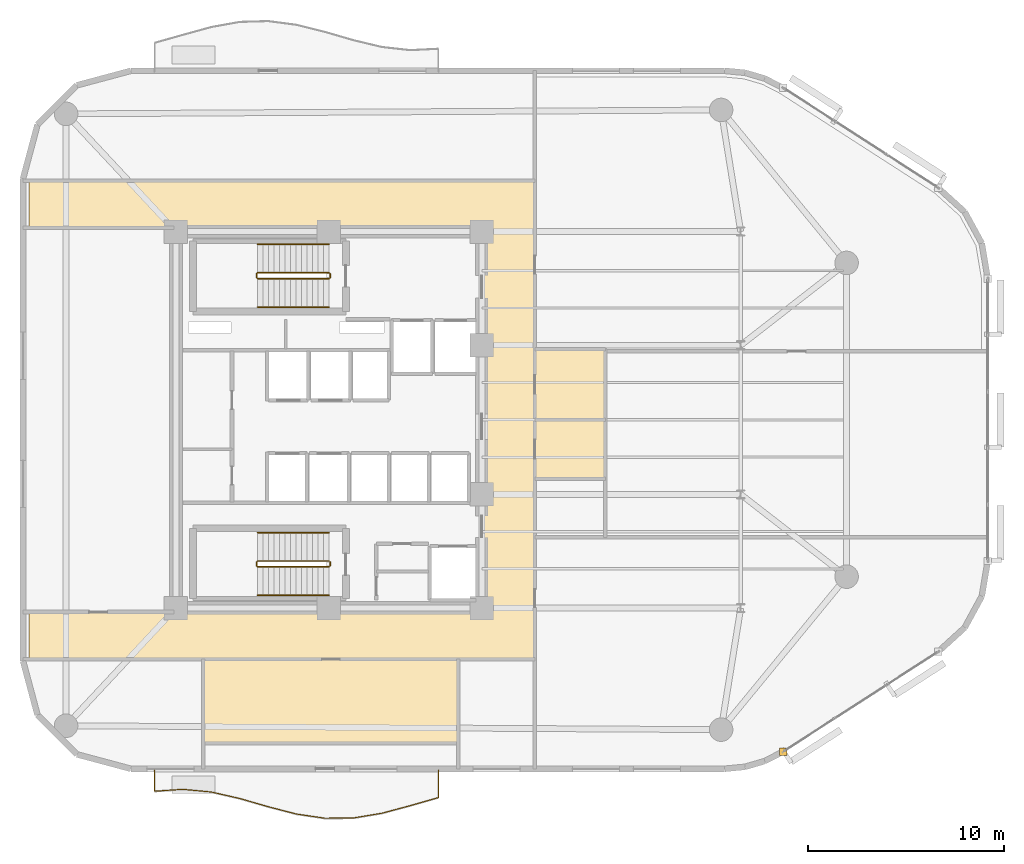
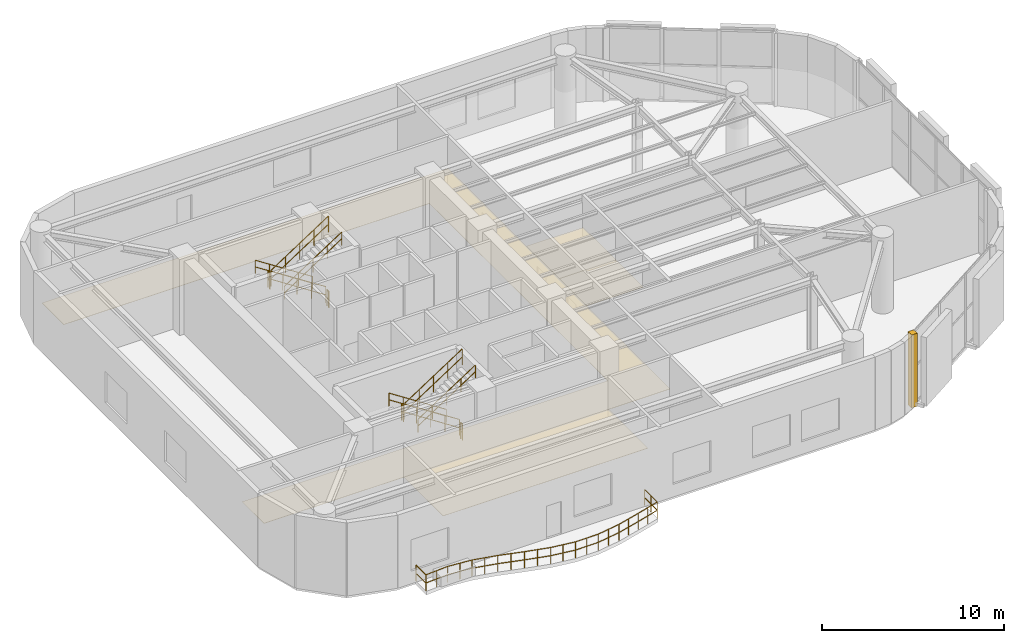
# One storey, part 11 of 12: 13 railings, 5 coverings.
"""IFC4 building model written with IfcOpenShell, lengths in metres."""

from ifc_helpers import new_model, si_unit, direction, frame, origin, origin_2d, place, context, subcontext, project, spatial, polyline, rectangle, circle, outline, extrude, material, layer, layer_set, type_object, element, save


model = new_model("IFC4")

# Units and contexts
model_context = context("Model", 3, precision=1e-05, world=origin(), true_north=direction((0.0, 1.0)))
body_context = subcontext(model_context, "Body", "Model", "MODEL_VIEW")
ifc_project = project(units=[si_unit("LENGTHUNIT", "METRE"), si_unit("AREAUNIT", "SQUARE_METRE"), si_unit("VOLUMEUNIT", "CUBIC_METRE"), si_unit("PLANEANGLEUNIT", "RADIAN"), si_unit("MASSUNIT", "GRAM", prefix="KILO")], contexts=[model_context])

# Site, building, storey
site_placement = place(None, origin())
site = spatial("IfcSite", under=ifc_project, at=site_placement, CompositionType="ELEMENT")
building_placement = place(site_placement, origin())
building = spatial("IfcBuilding", under=site, at=building_placement, Name="An Khanh Terracotta Commons", CompositionType="ELEMENT")
storey_placement = place(building_placement, frame((0.0, 0.0, 138.699951171875)))
storey = spatial("IfcBuildingStorey", under=building, at=storey_placement, Name="L36", CompositionType="ELEMENT", Elevation=138.699951171875)

# Coverings
ifc_material_1 = material(Name="Perforated Mineral-Fibre Acoustic Tile")
ifc_layer_1 = layer(ifc_material_1, 0.02001953125, Name="Perforated Mineral-Fibre Acoustic Tile")
ifc_layer_set_1 = layer_set([ifc_layer_1], Name="Perforated Mineral-Fibre Acoustic Tile")
covering_type_1 = type_object("IfcCoveringType", Name="CEIL-ACOUSTIC-18", PredefinedType="CEILING", material=ifc_layer_set_1)
covering_1_placement = place(storey_placement, frame((0.0, 0.0, 2.650146484375)))
element("IfcCovering", 1, at=covering_1_placement, inside=storey, type_object=covering_type_1, Name="L36 Sky Lobby Ceiling", PredefinedType="CEILING", context=body_context, shape_type="SweptSolid", body=[
    extrude(outline(polyline([(14.1201171875, 11.800048828125), (14.1201171875, 14.199951171875), (37.300048828125, 14.199951171875), (37.300048828125, 14.280029296875), (37.320068359375, 14.280029296875), (37.320068359375, 33.719970703125), (37.300048828125, 33.719970703125), (37.300048828125, 33.800048828125), (14.1201171875, 33.800048828125), (14.1201171875, 36.199951171875), (39.89990234375, 36.199951171875), (39.89990234375, 35.800048828125), (39.89990234375, 33.800048828125), (39.89990234375, 14.199951171875), (39.89990234375, 12.199951171875), (39.89990234375, 11.800048828125), (14.1201171875, 11.800048828125)])), origin(), (0.0, 0.0, 1.0), 0.02001953125),
])
covering_2_placement = place(storey_placement, frame((0.0, 0.0, 2.650146484375)))
element("IfcCovering", 2, at=covering_2_placement, inside=storey, type_object=covering_type_1, Name="L36 Sky Lobby Accessible WC Ceiling", PredefinedType="CEILING", context=body_context, shape_type="SweptSolid", body=[
    extrude(outline(polyline([(39.89990234375, 24.0), (43.5, 24.0), (43.5, 21.0), (39.89990234375, 21.0), (39.89990234375, 24.0)])), origin(), (0.0, 0.0, 1.0), 0.02001953125),
])
covering_3_placement = place(storey_placement, frame((0.0, 0.0, 2.650146484375)))
element("IfcCovering", 3, at=covering_3_placement, inside=storey, type_object=covering_type_1, Name="L36 Sky Lobby Public Restrooms Ceiling", PredefinedType="CEILING", context=body_context, shape_type="SweptSolid", body=[
    extrude(outline(polyline([(39.89990234375, 27.60009765625), (43.5, 27.60009765625), (43.5, 24.0), (39.89990234375, 24.0), (39.89990234375, 27.60009765625)])), origin(), (0.0, 0.0, 1.0), 0.02001953125),
])
covering_4_placement = place(storey_placement, frame((0.0, 0.0, 2.650146484375)))
element("IfcCovering", 4, at=covering_4_placement, inside=storey, type_object=covering_type_1, Name="L36 Sky Lobby Pantry Store Ceiling", PredefinedType="CEILING", context=body_context, shape_type="SweptSolid", body=[
    extrude(outline(polyline([(36.0, 11.800048828125), (36.0, 7.5), (23.0, 7.5), (23.0, 11.800048828125), (36.0, 11.800048828125)])), origin(), (0.0, 0.0, 1.0), 0.02001953125),
])
ifc_material_2 = material(Name="Fired Terracotta Rainscreen Cladding", Category="masonry")
ifc_layer_2 = layer(ifc_material_2, 0.080078125, Name="Fired Terracotta Rainscreen Cladding")
ifc_layer_set_2 = layer_set([ifc_layer_2], Name="Fired Terracotta Rainscreen Cladding")
covering_type_2 = type_object("IfcCoveringType", Name="COV-JAMB-TERRA", PredefinedType="CLADDING", material=ifc_layer_set_2)
covering_5_placement = place(storey_placement, frame((52.56005859375, 7.075927734375, 0.0), z_axis=(0.0, 0.0, 1.0), x_axis=(1.0, 0.0, 0.0)))
element("IfcCovering", 5, at=covering_5_placement, inside=storey, type_object=covering_type_2, Name="L36 CW-04 Curtain-Wall Jamb Closure JA", PredefinedType="CLADDING", context=body_context, shape_type="SweptSolid", body=[
    extrude(rectangle(XDim=0.3798828125, YDim=0.3798828125, at=origin_2d()), origin(), (0.0, 0.0, 1.0), 4.89990234375),
])

# Railings
ifc_material_3 = material(Name="Brushed Stainless Steel 316", Category="steel")
railing_type_1 = type_object("IfcRailingType", Name="RAIL-BALUSTRADE-1100", PredefinedType="BALUSTRADE", material=ifc_material_3)
railing_1_placement = place(storey_placement, frame((20.5, 6.139892578125, 0.0)))
element("IfcRailing", 6, at=railing_1_placement, inside=storey, type_object=railing_type_1, Name="L36 S Wave Balcony Guard Balustrade", PredefinedType="BALUSTRADE", context=body_context, shape_type="SweptSolid", body=[
    extrude(circle(Radius=0.02392578125, at=origin_2d()), frame((0.0, 0.0, 1.076171875), z_axis=(0.0, -1.0, 0.0), x_axis=(1.0, 0.0, 0.0)), (0.0, 0.0, 1.0), 1.079833984375),
    extrude(circle(Radius=0.02392578125, at=origin_2d()), frame((0.0, 0.0, 0.52587890625), z_axis=(0.0, -1.0, 0.0), x_axis=(1.0, 0.0, 0.0)), (0.0, 0.0, 1.0), 1.079833984375),
    extrude(circle(Radius=0.02392578125, at=origin_2d()), frame((0.0, -1.079833984375, 1.076171875), z_axis=(0.997682915292, 0.068035288886, 0.0), x_axis=(-0.068035288886, 0.997682915292, 0.0)), (0.0, 0.0, 1.0), 1.453369140625),
    extrude(circle(Radius=0.02392578125, at=origin_2d()), frame((0.0, -1.079833984375, 0.52587890625), z_axis=(0.997682915292, 0.068035288886, 0.0), x_axis=(-0.068035288886, 0.997682915292, 0.0)), (0.0, 0.0, 1.0), 1.453369140625),
    extrude(circle(Radius=0.02392578125, at=origin_2d()), frame((1.449951171875, -0.98095703125, 1.076171875), z_axis=(0.995568257006, -0.094041722879, 0.0), x_axis=(0.094041722879, 0.995568257006, 0.0)), (0.0, 0.0, 1.0), 1.456298828125),
    extrude(circle(Radius=0.02392578125, at=origin_2d()), frame((1.449951171875, -0.98095703125, 0.52587890625), z_axis=(0.995568257006, -0.094041722879, 0.0), x_axis=(0.094041722879, 0.995568257006, 0.0)), (0.0, 0.0, 1.0), 1.456298828125),
    extrude(circle(Radius=0.02392578125, at=origin_2d()), frame((2.89990234375, -1.117919921875, 1.076171875), z_axis=(0.975061856112, -0.221933270953, 0.0), x_axis=(0.221933270953, 0.975061856112, 0.0)), (0.0, 0.0, 1.0), 1.4873046875),
    extrude(circle(Radius=0.02392578125, at=origin_2d()), frame((2.89990234375, -1.117919921875, 0.52587890625), z_axis=(0.975061856112, -0.221933270953, 0.0), x_axis=(0.221933270953, 0.975061856112, 0.0)), (0.0, 0.0, 1.0), 1.4873046875),
    extrude(circle(Radius=0.02392578125, at=origin_2d()), frame((4.35009765625, -1.447998046875, 1.076171875), z_axis=(0.960701721664, -0.277582784034, 0.0), x_axis=(0.277582784034, 0.960701721664, 0.0)), (0.0, 0.0, 1.0), 1.50927734375),
    extrude(circle(Radius=0.02392578125, at=origin_2d()), frame((4.35009765625, -1.447998046875, 0.52587890625), z_axis=(0.960701721664, -0.277582784034, 0.0), x_axis=(0.277582784034, 0.960701721664, 0.0)), (0.0, 0.0, 1.0), 1.50927734375),
    extrude(circle(Radius=0.02392578125, at=origin_2d()), frame((5.800048828125, -1.866943359375, 1.076171875), z_axis=(0.967986632035, -0.251001753382, 0.0), x_axis=(0.251001753382, 0.967986632035, 0.0)), (0.0, 0.0, 1.0), 1.497802734375),
    extrude(circle(Radius=0.02392578125, at=origin_2d()), frame((5.800048828125, -1.866943359375, 0.52587890625), z_axis=(0.967986632035, -0.251001753382, 0.0), x_axis=(0.251001753382, 0.967986632035, 0.0)), (0.0, 0.0, 1.0), 1.497802734375),
    extrude(circle(Radius=0.02392578125, at=origin_2d()), frame((7.25, -2.242919921875, 1.076171875), z_axis=(0.989296277489, -0.145920784489, 0.0), x_axis=(0.145920784489, 0.989296277489, 0.0)), (0.0, 0.0, 1.0), 1.465576171875),
    extrude(circle(Radius=0.02392578125, at=origin_2d()), frame((7.25, -2.242919921875, 0.52587890625), z_axis=(0.989296277489, -0.145920784489, 0.0), x_axis=(0.145920784489, 0.989296277489, 0.0)), (0.0, 0.0, 1.0), 1.465576171875),
    extrude(circle(Radius=0.02392578125, at=origin_2d()), frame((8.699951171875, -2.456787109375, 1.076171875), z_axis=(0.999947256534, 0.010270547676, 0.0), x_axis=(-0.010270547676, 0.999947256534, 0.0)), (0.0, 0.0, 1.0), 1.449951171875),
    extrude(circle(Radius=0.02392578125, at=origin_2d()), frame((8.699951171875, -2.456787109375, 0.52587890625), z_axis=(0.999947256534, 0.010270547676, 0.0), x_axis=(-0.010270547676, 0.999947256534, 0.0)), (0.0, 0.0, 1.0), 1.449951171875),
    extrude(circle(Radius=0.02392578125, at=origin_2d()), frame((10.14990234375, -2.44189453125, 1.076171875), z_axis=(0.986581811154, 0.163267663361, 0.0), x_axis=(-0.163267663361, 0.986581811154, 0.0)), (0.0, 0.0, 1.0), 1.469970703125),
    extrude(circle(Radius=0.02392578125, at=origin_2d()), frame((10.14990234375, -2.44189453125, 0.52587890625), z_axis=(0.986581811154, 0.163267663361, 0.0), x_axis=(-0.163267663361, 0.986581811154, 0.0)), (0.0, 0.0, 1.0), 1.469970703125),
    extrude(circle(Radius=0.02392578125, at=origin_2d()), frame((11.60009765625, -2.201904296875, 1.076171875), z_axis=(0.965858719357, 0.259069361835, 0.0), x_axis=(-0.259069361835, 0.965858719357, 0.0)), (0.0, 0.0, 1.0), 1.501220703125),
    extrude(circle(Radius=0.02392578125, at=origin_2d()), frame((11.60009765625, -2.201904296875, 0.52587890625), z_axis=(0.965858719357, 0.259069361835, 0.0), x_axis=(-0.259069361835, 0.965858719357, 0.0)), (0.0, 0.0, 1.0), 1.501220703125),
    extrude(circle(Radius=0.02392578125, at=origin_2d()), frame((13.050048828125, -1.81298828125, 1.076171875), z_axis=(0.961389443871, 0.275191455562, 0.0), x_axis=(-0.275191455562, 0.961389443871, 0.0)), (0.0, 0.0, 1.0), 1.50830078125),
    extrude(circle(Radius=0.02392578125, at=origin_2d()), frame((13.050048828125, -1.81298828125, 0.52587890625), z_axis=(0.961389443871, 0.275191455562, 0.0), x_axis=(-0.275191455562, 0.961389443871, 0.0)), (0.0, 0.0, 1.0), 1.50830078125),
    extrude(circle(Radius=0.02392578125, at=origin_2d()), frame((14.5, -1.39794921875, 1.076171875), z_axis=(0.0, 1.0, 0.0), x_axis=(-1.0, 0.0, 0.0)), (0.0, 0.0, 1.0), 1.39794921875),
    extrude(circle(Radius=0.02392578125, at=origin_2d()), frame((14.5, -1.39794921875, 0.52587890625), z_axis=(0.0, 1.0, 0.0), x_axis=(-1.0, 0.0, 0.0)), (0.0, 0.0, 1.0), 1.39794921875),
    extrude(circle(Radius=0.02099609375, at=origin_2d()), origin(), (0.0, 0.0, 1.0), 1.052001953125),
    extrude(circle(Radius=0.02099609375, at=origin_2d()), frame((0.0, -1.079833984375, 0.0)), (0.0, 0.0, 1.0), 1.052001953125),
    extrude(circle(Radius=0.02099609375, at=origin_2d()), frame((0.72509765625, -1.0302734375, 0.0)), (0.0, 0.0, 1.0), 1.052001953125),
    extrude(circle(Radius=0.02099609375, at=origin_2d()), frame((1.449951171875, -0.98095703125, 0.0)), (0.0, 0.0, 1.0), 1.052001953125),
    extrude(circle(Radius=0.02099609375, at=origin_2d()), frame((2.1748046875, -1.04931640625, 0.0)), (0.0, 0.0, 1.0), 1.052001953125),
    extrude(circle(Radius=0.02099609375, at=origin_2d()), frame((2.89990234375, -1.117919921875, 0.0)), (0.0, 0.0, 1.0), 1.052001953125),
    extrude(circle(Radius=0.02099609375, at=origin_2d()), frame((3.625, -1.282958984375, 0.0)), (0.0, 0.0, 1.0), 1.052001953125),
    extrude(circle(Radius=0.02099609375, at=origin_2d()), frame((4.35009765625, -1.447998046875, 0.0)), (0.0, 0.0, 1.0), 1.052001953125),
    extrude(circle(Radius=0.02099609375, at=origin_2d()), frame((5.0751953125, -1.657470703125, 0.0)), (0.0, 0.0, 1.0), 1.052001953125),
    extrude(circle(Radius=0.02099609375, at=origin_2d()), frame((5.800048828125, -1.866943359375, 0.0)), (0.0, 0.0, 1.0), 1.052001953125),
    extrude(circle(Radius=0.02099609375, at=origin_2d()), frame((6.52490234375, -2.054931640625, 0.0)), (0.0, 0.0, 1.0), 1.052001953125),
    extrude(circle(Radius=0.02099609375, at=origin_2d()), frame((7.25, -2.242919921875, 0.0)), (0.0, 0.0, 1.0), 1.052001953125),
    extrude(circle(Radius=0.02099609375, at=origin_2d()), frame((7.97509765625, -2.349853515625, 0.0)), (0.0, 0.0, 1.0), 1.052001953125),
    extrude(circle(Radius=0.02099609375, at=origin_2d()), frame((8.699951171875, -2.456787109375, 0.0)), (0.0, 0.0, 1.0), 1.052001953125),
    extrude(circle(Radius=0.02099609375, at=origin_2d()), frame((9.4248046875, -2.44921875, 0.0)), (0.0, 0.0, 1.0), 1.052001953125),
    extrude(circle(Radius=0.02099609375, at=origin_2d()), frame((10.14990234375, -2.44189453125, 0.0)), (0.0, 0.0, 1.0), 1.052001953125),
    extrude(circle(Radius=0.02099609375, at=origin_2d()), frame((10.875, -2.32177734375, 0.0)), (0.0, 0.0, 1.0), 1.052001953125),
    extrude(circle(Radius=0.02099609375, at=origin_2d()), frame((11.60009765625, -2.201904296875, 0.0)), (0.0, 0.0, 1.0), 1.052001953125),
    extrude(circle(Radius=0.02099609375, at=origin_2d()), frame((12.3251953125, -2.00732421875, 0.0)), (0.0, 0.0, 1.0), 1.052001953125),
    extrude(circle(Radius=0.02099609375, at=origin_2d()), frame((13.050048828125, -1.81298828125, 0.0)), (0.0, 0.0, 1.0), 1.052001953125),
    extrude(circle(Radius=0.02099609375, at=origin_2d()), frame((13.77490234375, -1.60546875, 0.0)), (0.0, 0.0, 1.0), 1.052001953125),
    extrude(circle(Radius=0.02099609375, at=origin_2d()), frame((14.5, -1.39794921875, 0.0)), (0.0, 0.0, 1.0), 1.052001953125),
    extrude(circle(Radius=0.02099609375, at=origin_2d()), frame((14.5, -0.698974609375, 0.0)), (0.0, 0.0, 1.0), 1.052001953125),
    extrude(circle(Radius=0.02099609375, at=origin_2d()), frame((14.5, 0.0, 0.0)), (0.0, 0.0, 1.0), 1.052001953125),
])
railing_type_2 = type_object("IfcRailingType", Name="RAIL-HANDRAIL-900", PredefinedType="HANDRAIL", material=ifc_material_3)
railing_2_placement = place(storey_placement, frame((29.409912109375, 32.949951171875, 0.18212890625)))
element("IfcRailing", 7, at=railing_2_placement, inside=storey, type_object=railing_type_2, Name="L36 ST-01 stair handrail 1", PredefinedType="HANDRAIL", context=body_context, shape_type="SweptSolid", body=[
    extrude(circle(Radius=0.02392578125, at=origin_2d()), frame((0.0, 0.0, 0.8759765625), z_axis=(-0.838234174257, 0.0, 0.545310433706), x_axis=(0.0, -1.0, 0.0)), (0.0, 0.0, 1.0), 4.34228515625),
    extrude(circle(Radius=0.02392578125, at=origin_2d()), frame((0.0, 0.0, 0.42578125), z_axis=(-0.838234174257, 0.0, 0.545310433706), x_axis=(0.0, -1.0, 0.0)), (0.0, 0.0, 1.0), 4.34228515625),
    extrude(circle(Radius=0.02099609375, at=origin_2d()), origin(), (0.0, 0.0, 1.0), 0.851806640625),
    extrude(circle(Radius=0.02099609375, at=origin_2d()), frame((-0.909912109375, 0.0, 0.592041015625)), (0.0, 0.0, 1.0), 0.851806640625),
    extrude(circle(Radius=0.02099609375, at=origin_2d()), frame((-1.81982421875, 0.0, 1.18408203125)), (0.0, 0.0, 1.0), 0.851806640625),
    extrude(circle(Radius=0.02099609375, at=origin_2d()), frame((-2.72998046875, 0.0, 1.77587890625)), (0.0, 0.0, 1.0), 0.851806640625),
    extrude(circle(Radius=0.02099609375, at=origin_2d()), frame((-3.639892578125, 0.0, 2.367919921875)), (0.0, 0.0, 1.0), 0.851806640625),
])
railing_3_placement = place(storey_placement, frame((25.77001953125, 29.75, 2.732177734375)))
element("IfcRailing", 8, at=railing_3_placement, inside=storey, type_object=railing_type_2, Name="L36 ST-01 stair handrail 2", PredefinedType="HANDRAIL", context=body_context, shape_type="SweptSolid", body=[
    extrude(circle(Radius=0.02392578125, at=origin_2d()), frame((0.0, 0.0, 0.8759765625), z_axis=(0.838234174257, 0.0, 0.545310433706), x_axis=(0.0, 1.0, 0.0)), (0.0, 0.0, 1.0), 4.34228515625),
    extrude(circle(Radius=0.02392578125, at=origin_2d()), frame((0.0, 0.0, 0.42578125), z_axis=(0.838234174257, 0.0, 0.545310433706), x_axis=(0.0, 1.0, 0.0)), (0.0, 0.0, 1.0), 4.34228515625),
    extrude(circle(Radius=0.02099609375, at=origin_2d()), origin(), (0.0, 0.0, 1.0), 0.851806640625),
    extrude(circle(Radius=0.02099609375, at=origin_2d()), frame((0.909912109375, 0.0, 0.592041015625)), (0.0, 0.0, 1.0), 0.851806640625),
    extrude(circle(Radius=0.02099609375, at=origin_2d()), frame((1.81982421875, 0.0, 1.18408203125)), (0.0, 0.0, 1.0), 0.851806640625),
    extrude(circle(Radius=0.02099609375, at=origin_2d()), frame((2.72998046875, 0.0, 1.77587890625)), (0.0, 0.0, 1.0), 0.851806640625),
    extrude(circle(Radius=0.02099609375, at=origin_2d()), frame((3.639892578125, 0.0, 2.367919921875)), (0.0, 0.0, 1.0), 0.851806640625),
])
railing_4_placement = place(storey_placement, frame((29.409912109375, 18.25, 0.18212890625)))
element("IfcRailing", 9, at=railing_4_placement, inside=storey, type_object=railing_type_2, Name="L36 ST-02 stair handrail 1", PredefinedType="HANDRAIL", context=body_context, shape_type="SweptSolid", body=[
    extrude(circle(Radius=0.02392578125, at=origin_2d()), frame((0.0, 0.0, 0.8759765625), z_axis=(-0.838234174257, 0.0, 0.545310433706), x_axis=(0.0, -1.0, 0.0)), (0.0, 0.0, 1.0), 4.34228515625),
    extrude(circle(Radius=0.02392578125, at=origin_2d()), frame((0.0, 0.0, 0.42578125), z_axis=(-0.838234174257, 0.0, 0.545310433706), x_axis=(0.0, -1.0, 0.0)), (0.0, 0.0, 1.0), 4.34228515625),
    extrude(circle(Radius=0.02099609375, at=origin_2d()), origin(), (0.0, 0.0, 1.0), 0.851806640625),
    extrude(circle(Radius=0.02099609375, at=origin_2d()), frame((-0.909912109375, 0.0, 0.592041015625)), (0.0, 0.0, 1.0), 0.851806640625),
    extrude(circle(Radius=0.02099609375, at=origin_2d()), frame((-1.81982421875, 0.0, 1.18408203125)), (0.0, 0.0, 1.0), 0.851806640625),
    extrude(circle(Radius=0.02099609375, at=origin_2d()), frame((-2.72998046875, 0.0, 1.77587890625)), (0.0, 0.0, 1.0), 0.851806640625),
    extrude(circle(Radius=0.02099609375, at=origin_2d()), frame((-3.639892578125, 0.0, 2.367919921875)), (0.0, 0.0, 1.0), 0.851806640625),
])
railing_5_placement = place(storey_placement, frame((25.77001953125, 15.050048828125, 2.732177734375)))
element("IfcRailing", 10, at=railing_5_placement, inside=storey, type_object=railing_type_2, Name="L36 ST-02 stair handrail 2", PredefinedType="HANDRAIL", context=body_context, shape_type="SweptSolid", body=[
    extrude(circle(Radius=0.02392578125, at=origin_2d()), frame((0.0, 0.0, 0.8759765625), z_axis=(0.838234174257, 0.0, 0.545310433706), x_axis=(0.0, 1.0, 0.0)), (0.0, 0.0, 1.0), 4.34228515625),
    extrude(circle(Radius=0.02392578125, at=origin_2d()), frame((0.0, 0.0, 0.42578125), z_axis=(0.838234174257, 0.0, 0.545310433706), x_axis=(0.0, 1.0, 0.0)), (0.0, 0.0, 1.0), 4.34228515625),
    extrude(circle(Radius=0.02099609375, at=origin_2d()), origin(), (0.0, 0.0, 1.0), 0.851806640625),
    extrude(circle(Radius=0.02099609375, at=origin_2d()), frame((0.909912109375, 0.0, 0.592041015625)), (0.0, 0.0, 1.0), 0.851806640625),
    extrude(circle(Radius=0.02099609375, at=origin_2d()), frame((1.81982421875, 0.0, 1.18408203125)), (0.0, 0.0, 1.0), 0.851806640625),
    extrude(circle(Radius=0.02099609375, at=origin_2d()), frame((2.72998046875, 0.0, 1.77587890625)), (0.0, 0.0, 1.0), 0.851806640625),
    extrude(circle(Radius=0.02099609375, at=origin_2d()), frame((3.639892578125, 0.0, 2.367919921875)), (0.0, 0.0, 1.0), 0.851806640625),
])
ifc_material_4 = material(Name="Powder-Coated Steel S355J2", Category="steel")
railing_type_3 = type_object("IfcRailingType", Name="RAIL-STAIR-GUARD-1100", PredefinedType="BALUSTRADE", material=ifc_material_4)
railing_6_placement = place(storey_placement, frame((29.409912109375, 31.5, 0.18212890625)))
element("IfcRailing", 11, at=railing_6_placement, inside=storey, type_object=railing_type_3, Name="L36 ST-01 stair guard 1", PredefinedType="BALUSTRADE", context=body_context, shape_type="SweptSolid", body=[
    extrude(circle(Radius=0.02392578125, at=origin_2d()), frame((0.0, 0.0, 1.076171875), z_axis=(-0.838234174257, 0.0, 0.545310433706), x_axis=(0.0, -1.0, 0.0)), (0.0, 0.0, 1.0), 4.34228515625),
    extrude(circle(Radius=0.02392578125, at=origin_2d()), frame((0.0, 0.0, 0.52587890625), z_axis=(-0.838234174257, 0.0, 0.545310433706), x_axis=(0.0, -1.0, 0.0)), (0.0, 0.0, 1.0), 4.34228515625),
    extrude(circle(Radius=0.02099609375, at=origin_2d()), origin(), (0.0, 0.0, 1.0), 1.052001953125),
    extrude(circle(Radius=0.02099609375, at=origin_2d()), frame((-0.909912109375, 0.0, 0.592041015625)), (0.0, 0.0, 1.0), 1.052001953125),
    extrude(circle(Radius=0.02099609375, at=origin_2d()), frame((-1.81982421875, 0.0, 1.18408203125)), (0.0, 0.0, 1.0), 1.052001953125),
    extrude(circle(Radius=0.02099609375, at=origin_2d()), frame((-2.72998046875, 0.0, 1.77587890625)), (0.0, 0.0, 1.0), 1.052001953125),
    extrude(circle(Radius=0.02099609375, at=origin_2d()), frame((-3.639892578125, 0.0, 2.367919921875)), (0.0, 0.0, 1.0), 1.052001953125),
])
railing_7_placement = place(storey_placement, frame((25.719970703125, 31.449951171875, 2.550048828125)))
element("IfcRailing", 12, at=railing_7_placement, inside=storey, type_object=railing_type_3, Name="L36 ST-01 stair guard 2", PredefinedType="BALUSTRADE", context=body_context, shape_type="SweptSolid", body=[
    extrude(circle(Radius=0.02392578125, at=origin_2d()), frame((0.0, 0.0, 1.076171875), z_axis=(0.0, -1.0, 0.0), x_axis=(1.0, 0.0, 0.0)), (0.0, 0.0, 1.0), 0.199951171875),
    extrude(circle(Radius=0.02392578125, at=origin_2d()), frame((0.0, 0.0, 0.52587890625), z_axis=(0.0, -1.0, 0.0), x_axis=(1.0, 0.0, 0.0)), (0.0, 0.0, 1.0), 0.199951171875),
    extrude(circle(Radius=0.02099609375, at=origin_2d()), origin(), (0.0, 0.0, 1.0), 1.052001953125),
    extrude(circle(Radius=0.02099609375, at=origin_2d()), frame((0.0, -0.199951171875, 0.0)), (0.0, 0.0, 1.0), 1.052001953125),
])
railing_8_placement = place(storey_placement, frame((25.77001953125, 31.199951171875, 2.732177734375)))
element("IfcRailing", 13, at=railing_8_placement, inside=storey, type_object=railing_type_3, Name="L36 ST-01 stair guard 3", PredefinedType="BALUSTRADE", context=body_context, shape_type="SweptSolid", body=[
    extrude(circle(Radius=0.02392578125, at=origin_2d()), frame((0.0, 0.0, 1.076171875), z_axis=(0.838234174257, 0.0, 0.545310433706), x_axis=(0.0, 1.0, 0.0)), (0.0, 0.0, 1.0), 4.34228515625),
    extrude(circle(Radius=0.02392578125, at=origin_2d()), frame((0.0, 0.0, 0.52587890625), z_axis=(0.838234174257, 0.0, 0.545310433706), x_axis=(0.0, 1.0, 0.0)), (0.0, 0.0, 1.0), 4.34228515625),
    extrude(circle(Radius=0.02099609375, at=origin_2d()), origin(), (0.0, 0.0, 1.0), 1.052001953125),
    extrude(circle(Radius=0.02099609375, at=origin_2d()), frame((0.909912109375, 0.0, 0.592041015625)), (0.0, 0.0, 1.0), 1.052001953125),
    extrude(circle(Radius=0.02099609375, at=origin_2d()), frame((1.81982421875, 0.0, 1.18408203125)), (0.0, 0.0, 1.0), 1.052001953125),
    extrude(circle(Radius=0.02099609375, at=origin_2d()), frame((2.72998046875, 0.0, 1.77587890625)), (0.0, 0.0, 1.0), 1.052001953125),
    extrude(circle(Radius=0.02099609375, at=origin_2d()), frame((3.639892578125, 0.0, 2.367919921875)), (0.0, 0.0, 1.0), 1.052001953125),
])
railing_9_placement = place(storey_placement, frame((29.4599609375, 31.449951171875, 0.0)))
element("IfcRailing", 14, at=railing_9_placement, inside=storey, type_object=railing_type_3, Name="L36 ST-01 stair guard 4", PredefinedType="BALUSTRADE", context=body_context, shape_type="SweptSolid", body=[
    extrude(circle(Radius=0.02392578125, at=origin_2d()), frame((0.0, 0.0, 1.076171875), z_axis=(0.0, -1.0, 0.0), x_axis=(1.0, 0.0, 0.0)), (0.0, 0.0, 1.0), 0.199951171875),
    extrude(circle(Radius=0.02392578125, at=origin_2d()), frame((0.0, 0.0, 0.52587890625), z_axis=(0.0, -1.0, 0.0), x_axis=(1.0, 0.0, 0.0)), (0.0, 0.0, 1.0), 0.199951171875),
    extrude(circle(Radius=0.02099609375, at=origin_2d()), origin(), (0.0, 0.0, 1.0), 1.052001953125),
    extrude(circle(Radius=0.02099609375, at=origin_2d()), frame((0.0, -0.199951171875, 0.0)), (0.0, 0.0, 1.0), 1.052001953125),
])
railing_10_placement = place(storey_placement, frame((29.409912109375, 16.800048828125, 0.18212890625)))
element("IfcRailing", 15, at=railing_10_placement, inside=storey, type_object=railing_type_3, Name="L36 ST-02 stair guard 1", PredefinedType="BALUSTRADE", context=body_context, shape_type="SweptSolid", body=[
    extrude(circle(Radius=0.02392578125, at=origin_2d()), frame((0.0, 0.0, 1.076171875), z_axis=(-0.838234174257, 0.0, 0.545310433706), x_axis=(0.0, -1.0, 0.0)), (0.0, 0.0, 1.0), 4.34228515625),
    extrude(circle(Radius=0.02392578125, at=origin_2d()), frame((0.0, 0.0, 0.52587890625), z_axis=(-0.838234174257, 0.0, 0.545310433706), x_axis=(0.0, -1.0, 0.0)), (0.0, 0.0, 1.0), 4.34228515625),
    extrude(circle(Radius=0.02099609375, at=origin_2d()), origin(), (0.0, 0.0, 1.0), 1.052001953125),
    extrude(circle(Radius=0.02099609375, at=origin_2d()), frame((-0.909912109375, 0.0, 0.592041015625)), (0.0, 0.0, 1.0), 1.052001953125),
    extrude(circle(Radius=0.02099609375, at=origin_2d()), frame((-1.81982421875, 0.0, 1.18408203125)), (0.0, 0.0, 1.0), 1.052001953125),
    extrude(circle(Radius=0.02099609375, at=origin_2d()), frame((-2.72998046875, 0.0, 1.77587890625)), (0.0, 0.0, 1.0), 1.052001953125),
    extrude(circle(Radius=0.02099609375, at=origin_2d()), frame((-3.639892578125, 0.0, 2.367919921875)), (0.0, 0.0, 1.0), 1.052001953125),
])
railing_11_placement = place(storey_placement, frame((25.719970703125, 16.75, 2.550048828125)))
element("IfcRailing", 16, at=railing_11_placement, inside=storey, type_object=railing_type_3, Name="L36 ST-02 stair guard 2", PredefinedType="BALUSTRADE", context=body_context, shape_type="SweptSolid", body=[
    extrude(circle(Radius=0.02392578125, at=origin_2d()), frame((0.0, 0.0, 1.076171875), z_axis=(0.0, -1.0, 0.0), x_axis=(1.0, 0.0, 0.0)), (0.0, 0.0, 1.0), 0.199951171875),
    extrude(circle(Radius=0.02392578125, at=origin_2d()), frame((0.0, 0.0, 0.52587890625), z_axis=(0.0, -1.0, 0.0), x_axis=(1.0, 0.0, 0.0)), (0.0, 0.0, 1.0), 0.199951171875),
    extrude(circle(Radius=0.02099609375, at=origin_2d()), origin(), (0.0, 0.0, 1.0), 1.052001953125),
    extrude(circle(Radius=0.02099609375, at=origin_2d()), frame((0.0, -0.199951171875, 0.0)), (0.0, 0.0, 1.0), 1.052001953125),
])
railing_12_placement = place(storey_placement, frame((25.77001953125, 16.5, 2.732177734375)))
element("IfcRailing", 17, at=railing_12_placement, inside=storey, type_object=railing_type_3, Name="L36 ST-02 stair guard 3", PredefinedType="BALUSTRADE", context=body_context, shape_type="SweptSolid", body=[
    extrude(circle(Radius=0.02392578125, at=origin_2d()), frame((0.0, 0.0, 1.076171875), z_axis=(0.838234174257, 0.0, 0.545310433706), x_axis=(0.0, 1.0, 0.0)), (0.0, 0.0, 1.0), 4.34228515625),
    extrude(circle(Radius=0.02392578125, at=origin_2d()), frame((0.0, 0.0, 0.52587890625), z_axis=(0.838234174257, 0.0, 0.545310433706), x_axis=(0.0, 1.0, 0.0)), (0.0, 0.0, 1.0), 4.34228515625),
    extrude(circle(Radius=0.02099609375, at=origin_2d()), origin(), (0.0, 0.0, 1.0), 1.052001953125),
    extrude(circle(Radius=0.02099609375, at=origin_2d()), frame((0.909912109375, 0.0, 0.592041015625)), (0.0, 0.0, 1.0), 1.052001953125),
    extrude(circle(Radius=0.02099609375, at=origin_2d()), frame((1.81982421875, 0.0, 1.18408203125)), (0.0, 0.0, 1.0), 1.052001953125),
    extrude(circle(Radius=0.02099609375, at=origin_2d()), frame((2.72998046875, 0.0, 1.77587890625)), (0.0, 0.0, 1.0), 1.052001953125),
    extrude(circle(Radius=0.02099609375, at=origin_2d()), frame((3.639892578125, 0.0, 2.367919921875)), (0.0, 0.0, 1.0), 1.052001953125),
])
railing_13_placement = place(storey_placement, frame((29.4599609375, 16.75, 0.0)))
element("IfcRailing", 18, at=railing_13_placement, inside=storey, type_object=railing_type_3, Name="L36 ST-02 stair guard 4", PredefinedType="BALUSTRADE", context=body_context, shape_type="SweptSolid", body=[
    extrude(circle(Radius=0.02392578125, at=origin_2d()), frame((0.0, 0.0, 1.076171875), z_axis=(0.0, -1.0, 0.0), x_axis=(1.0, 0.0, 0.0)), (0.0, 0.0, 1.0), 0.199951171875),
    extrude(circle(Radius=0.02392578125, at=origin_2d()), frame((0.0, 0.0, 0.52587890625), z_axis=(0.0, -1.0, 0.0), x_axis=(1.0, 0.0, 0.0)), (0.0, 0.0, 1.0), 0.199951171875),
    extrude(circle(Radius=0.02099609375, at=origin_2d()), origin(), (0.0, 0.0, 1.0), 1.052001953125),
    extrude(circle(Radius=0.02099609375, at=origin_2d()), frame((0.0, -0.199951171875, 0.0)), (0.0, 0.0, 1.0), 1.052001953125),
])

save(model, "model.ifc")
